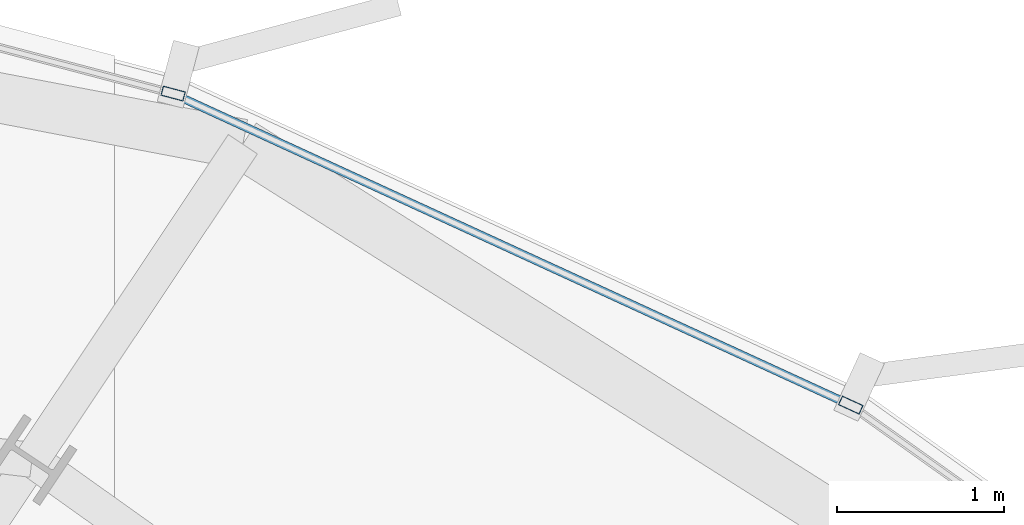
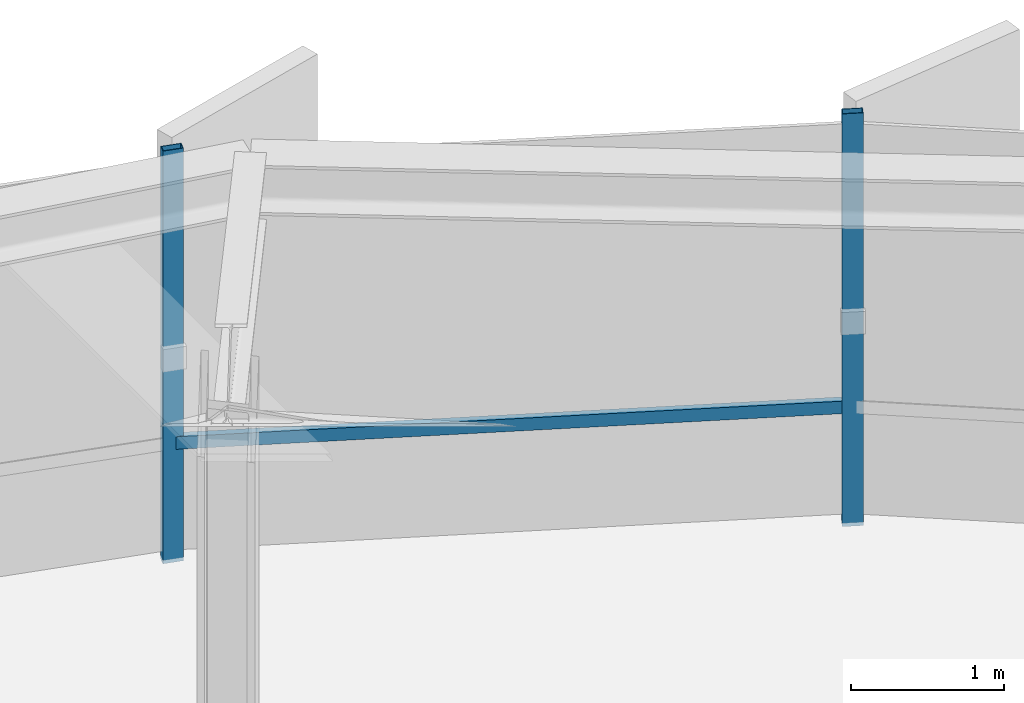
# One storey, part 23 of 34: 3 members, 1 element without a shape of its own.
"""IFC4 building model written with IfcOpenShell, lengths in metres."""

from ifc_helpers import new_model, si_unit, direction, frame, origin, origin_2d, place, context, subcontext, project, spatial, hollow_rectangle, extrude, source, transform, mapped, material, layer, layer_set, material_profile, profile_set, type_object, element, aggregate, save


model = new_model("IFC4")

# Units and contexts
model_context = context("Model", 3, precision=1e-05, world=origin(), true_north=direction((0.0, 1.0)))
body_context = subcontext(model_context, "Body", "Model", "MODEL_VIEW")
ifc_project = project(units=[si_unit("LENGTHUNIT", "METRE"), si_unit("AREAUNIT", "SQUARE_METRE"), si_unit("VOLUMEUNIT", "CUBIC_METRE"), si_unit("PLANEANGLEUNIT", "RADIAN"), si_unit("MASSUNIT", "GRAM", prefix="KILO"), si_unit("THERMODYNAMICTEMPERATUREUNIT", "KELVIN")], contexts=[model_context])

# Site, building, storey
site_placement = place(None, origin())
site = spatial("IfcSite", under=ifc_project, at=site_placement, CompositionType="ELEMENT")
building_placement = place(site_placement, origin())
building = spatial("IfcBuilding", under=site, at=building_placement, Name="Kethvar Cultural Tower", CompositionType="ELEMENT")
storey_placement = place(building_placement, frame((0.0, 0.0, 128.800048828125)))
storey = spatial("IfcBuildingStorey", under=building, at=storey_placement, Name="L32", CompositionType="ELEMENT", Elevation=128.800048828125)

# Curtain wall, members
ifc_material = material(Name="Aluminium 6063-T6", Category="aluminium")
ifc_layer = layer(ifc_material, 0.179931640625, Name="Aluminium 6063-T6", Category="aluminium")
ifc_layer_set = layer_set([ifc_layer], Name="Aluminium 6063-T6 (180 mm)")
curtain_wall_type = type_object("IfcCurtainWallType", Name="CW-SYS-04-Z34", PredefinedType="NOTDEFINED", material=ifc_layer_set)
curtain_wall_placement = place(storey_placement, origin())
curtain_wall = element("IfcCurtainWall", 1, at=curtain_wall_placement, inside=storey, type_object=curtain_wall_type, Name="L32 Curtain Wall Run 01", PredefinedType="NOTDEFINED")
ifc_material_profile_1 = material_profile(ifc_material, hollow_rectangle(XDim=0.06005859375, YDim=0.139892578125, WallThickness=0.0048828125, at=origin_2d()), Name="Aluminium 6063-T6 — RHS140x60x5")
ifc_profile_set_1 = profile_set([ifc_material_profile_1], Name="Aluminium 6063-T6 — RHS140x60x5")
member_type_1 = type_object("IfcMemberType", Name="CW-SYS-04-Z34-MUL", PredefinedType="MULLION", material=ifc_profile_set_1)
shared_shape_1 = source(origin(), body_context, "Body", "SweptSolid", [
    extrude(hollow_rectangle(XDim=0.06005859375, YDim=0.139892578125, WallThickness=0.0048828125, at=origin_2d()), origin(), (0.0, 0.0, 1.0), 3.300048828125),
])
member_1_placement = place(storey_placement, frame((65.318115234375, 48.489501953125, 0.0), z_axis=(0.0, 0.0, 1.0), x_axis=(-0.417375462434, -0.908734132383, 0.0)))
member_1 = element("IfcMember", 2, at=member_1_placement, type_object=member_type_1, Name="CW-L32-R01 Mullion 4", PredefinedType="MULLION", context=body_context, shape_type="MappedRepresentation", body=[
    mapped(shared_shape_1, transform((0.0, 0.0, 0.0), scale=1.0)),
])
member_2_placement = place(storey_placement, frame((61.251953125, 50.35888671875, 0.0), z_axis=(0.0, 0.0, 1.0), x_axis=(-0.255580749457, -0.966787712224, 0.0)))
member_2 = element("IfcMember", 3, at=member_2_placement, type_object=member_type_1, Name="CW-L32-R01 Mullion 5", PredefinedType="MULLION", context=body_context, shape_type="MappedRepresentation", body=[
    mapped(shared_shape_1, transform((0.0, 0.0, 0.0), scale=1.0)),
])
ifc_material_profile_2 = material_profile(ifc_material, hollow_rectangle(XDim=0.050048828125, YDim=0.10009765625, WallThickness=0.00390625, at=origin_2d()), Name="Aluminium 6063-T6 — RHS100x50x4")
ifc_profile_set_2 = profile_set([ifc_material_profile_2], Name="Aluminium 6063-T6 — RHS100x50x4")
member_type_2 = type_object("IfcMemberType", Name="CW-SYS-04-Z34-TRN", PredefinedType="USERDEFINED", material=ifc_profile_set_2)
shared_shape_2 = source(origin(), body_context, "Body", "SweptSolid", [
    extrude(hollow_rectangle(XDim=0.050048828125, YDim=0.10009765625, WallThickness=0.00390625, at=origin_2d()), origin(), (0.0, 0.0, 1.0), 4.407958984375),
])
member_3_placement = place(storey_placement, frame((65.27880859375, 48.5078125, 0.949951171875), z_axis=(-0.908747251685, 0.417346897144, 0.0), x_axis=(-0.417346897144, -0.908747251685, 0.0)))
member_3 = element("IfcMember", 4, at=member_3_placement, type_object=member_type_2, Name="CW-L32-R01 Transom 4", ObjectType="TRANSOM", PredefinedType="USERDEFINED", context=body_context, shape_type="MappedRepresentation", body=[
    mapped(shared_shape_2, transform((0.0, 0.0, 0.0), scale=1.0)),
])
aggregate(curtain_wall, [member_1, member_2, member_3])

save(model, "model.ifc")
